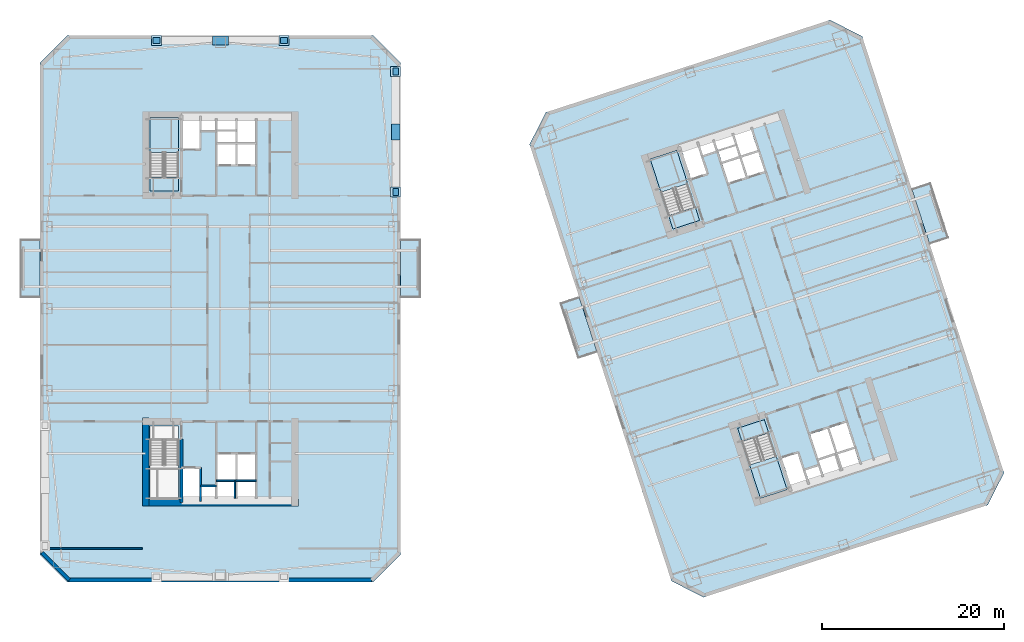
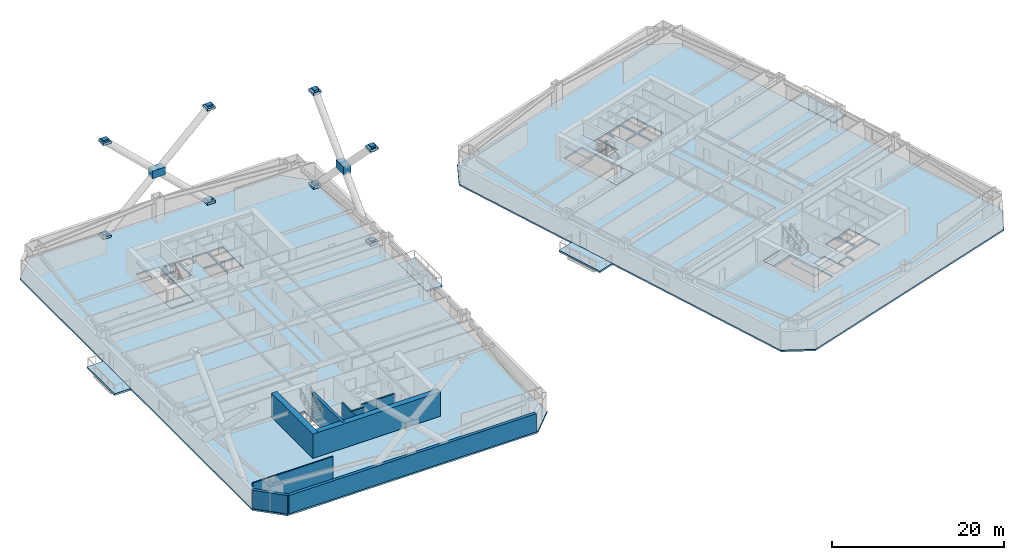
# One storey, part 3 of 15: 18 plates, 12 slabs, 10 walls, 3 elements without a shape of their own.
"""IFC4 building model written with IfcOpenShell, lengths in metres."""

from ifc_helpers import new_model, si_unit, direction, frame, frame_2d, origin, origin_2d, place, context, subcontext, project, spatial, polyline, rectangle, outline, extrude, material, layer, layer_set, type_object, element, aggregate, save


model = new_model("IFC4")

# Units and contexts
model_context = context("Model", 3, precision=1e-05, world=origin(), true_north=direction((0.0, 1.0)))
body_context = subcontext(model_context, "Body", "Model", "MODEL_VIEW")
ifc_project = project(units=[si_unit("LENGTHUNIT", "METRE"), si_unit("AREAUNIT", "SQUARE_METRE"), si_unit("VOLUMEUNIT", "CUBIC_METRE"), si_unit("PLANEANGLEUNIT", "RADIAN"), si_unit("MASSUNIT", "GRAM", prefix="KILO")], contexts=[model_context])

# Site, building, storey
site_placement = place(None, origin())
site = spatial("IfcSite", under=ifc_project, at=site_placement, CompositionType="ELEMENT")
building_placement = place(site_placement, origin())
building = spatial("IfcBuilding", under=site, at=building_placement, Name="Qiaolan Cultural Towers", CompositionType="ELEMENT")
storey_placement = place(building_placement, frame((0.0, 0.0, 71.300048828125)))
storey = spatial("IfcBuildingStorey", under=building, at=storey_placement, Name="L17", CompositionType="ELEMENT", Elevation=71.300048828125)

# Plates
ifc_material_1 = material(Name="Steel Q355B", Category="steel")
ifc_layer_1 = layer(ifc_material_1, 0.035888671875)
ifc_layer_set_1 = layer_set([ifc_layer_1], Name="Steel Q355B")
plate_type_1 = type_object("IfcPlateType", Name="PL-CONN-36", PredefinedType="USERDEFINED", material=ifc_layer_set_1)
for number, where, z_axis, x_axis, name in (
    (1, (49.25, 46.800048828125, -0.22021484375), (0.0, 0.0, 1.0), (0.0, 1.0, 0.0), "L17 Brace End Connection Gusset Plate GP-02-0232"),
    (2, (49.25, 60.050048828125, 13.1298828125), (0.0, 0.0, 1.0), (0.0, 1.0, 0.0), "L17 Brace End Connection Gusset Plate GP-02-0233"),
    (3, (49.25, 60.050048828125, -0.22021484375), (0.0, 0.0, 1.0), (0.0, 1.0, 0.0), "L17 Brace End Connection Gusset Plate GP-02-0234"),
    (4, (49.25, 46.800048828125, 13.1298828125), (0.0, 0.0, 1.0), (0.0, 1.0, 0.0), "L17 Brace End Connection Gusset Plate GP-02-0235"),
    (5, (23.0, 63.449951171875, -0.22021484375), (0.0, 0.0, 1.0), (1.0, 0.0, 0.0), "L17 Brace End Connection Gusset Plate GP-02-0240"),
    (6, (37.0, 63.449951171875, 13.1298828125), (0.0, 0.0, 1.0), (1.0, 0.0, 0.0), "L17 Brace End Connection Gusset Plate GP-02-0241"),
    (7, (37.0, 63.449951171875, -0.22021484375), (0.0, 0.0, 1.0), (1.0, 0.0, 0.0), "L17 Brace End Connection Gusset Plate GP-02-0242"),
    (8, (23.0, 63.449951171875, 13.1298828125), (0.0, 0.0, 1.0), (1.0, 0.0, 0.0), "L17 Brace End Connection Gusset Plate GP-02-0243"),
):
    element("IfcPlate", number, at=place(storey_placement, frame(where, z_axis=z_axis, x_axis=x_axis)), inside=storey, type_object=plate_type_1, Name=name, ObjectType="GUSSET_PLATE", PredefinedType="USERDEFINED", context=body_context, shape_type="SweptSolid", body=[
        extrude(rectangle(XDim=0.739990234375, YDim=0.6201171875, at=origin_2d()), origin(), (0.0, 0.0, 1.0), 0.739990234375),
    ])
ifc_material_2 = material(Name="Steel Q355B", Category="steel")
ifc_layer_2 = layer(ifc_material_2, 0.030029296875)
ifc_layer_set_2 = layer_set([ifc_layer_2], Name="Steel Q355B")
plate_type_2 = type_object("IfcPlateType", Name="PL-ENDCAP-30", PredefinedType="USERDEFINED", material=ifc_layer_set_2)
for number, where, z_axis, x_axis, name in (
    (9, (49.25, 46.800048828125, -0.025146484375), (0.0, 0.0, 1.0), (0.0, 1.0, 0.0), "Hollow Brace End Seal Cap Plate CP-01"),
    (10, (49.25, 60.050048828125, -0.025146484375), (0.0, 0.0, 1.0), (0.0, 1.0, 0.0), "Hollow Brace End Seal Cap Plate CP-01"),
    (11, (49.25, 46.800048828125, 13.324951171875), (0.0, 0.0, 1.0), (0.0, 1.0, 0.0), "Hollow Brace End Seal Cap Plate CP-01"),
    (12, (49.25, 60.050048828125, 13.324951171875), (0.0, 0.0, 1.0), (0.0, 1.0, 0.0), "Hollow Brace End Seal Cap Plate CP-01"),
    (13, (23.0, 63.449951171875, -0.025146484375), (0.0, 0.0, 1.0), (1.0, 0.0, 0.0), "Hollow Brace End Seal Cap Plate CP-01"),
    (14, (37.0, 63.449951171875, -0.025146484375), (0.0, 0.0, 1.0), (1.0, 0.0, 0.0), "Hollow Brace End Seal Cap Plate CP-01"),
    (15, (23.0, 63.449951171875, 13.324951171875), (0.0, 0.0, 1.0), (1.0, 0.0, 0.0), "Hollow Brace End Seal Cap Plate CP-01"),
    (16, (37.0, 63.449951171875, 13.324951171875), (0.0, 0.0, 1.0), (1.0, 0.0, 0.0), "Hollow Brace End Seal Cap Plate CP-01"),
):
    element("IfcPlate", number, at=place(storey_placement, frame(where, z_axis=z_axis, x_axis=x_axis)), inside=storey, type_object=plate_type_2, Name=name, ObjectType="BASE_PLATE", PredefinedType="USERDEFINED", context=body_context, shape_type="SweptSolid", body=[
        extrude(rectangle(XDim=1.10009765625, YDim=1.10009765625, at=origin_2d()), origin(), (0.0, 0.0, 1.0), 0.35009765625),
    ])
ifc_material_3 = material(Name="Steel Q390GJB", Category="steel")
ifc_layer_3 = layer(ifc_material_3, 0.0458984375)
ifc_layer_set_3 = layer_set([ifc_layer_3], Name="Steel Q390GJB")
plate_type_3 = type_object("IfcPlateType", Name="PL-NODE-ND03", PredefinedType="USERDEFINED", material=ifc_layer_set_3)
plate_1_placement = place(storey_placement, frame((49.25, 53.425048828125, 6.27490234375), z_axis=(0.0, 0.0, 1.0), x_axis=(0.0, 1.0, 0.0)))
element("IfcPlate", 17, at=plate_1_placement, inside=storey, type_object=plate_type_3, Name="Perimeter Frame Gusset Node Assembly ND-03", ObjectType="GUSSET_PLATE", PredefinedType="USERDEFINED", context=body_context, shape_type="SweptSolid", body=[
    extrude(rectangle(XDim=1.760009765625, YDim=0.9599609375, at=origin_2d()), origin(), (0.0, 0.0, 1.0), 1.10009765625),
])
ifc_material_4 = material(Name="Steel Q390GJB", Category="steel")
ifc_layer_4 = layer(ifc_material_4, 0.0419921875)
ifc_layer_set_4 = layer_set([ifc_layer_4], Name="Steel Q390GJB")
plate_type_4 = type_object("IfcPlateType", Name="PL-NODE-ND05", PredefinedType="USERDEFINED", material=ifc_layer_set_4)
plate_2_placement = place(storey_placement, frame((30.0, 63.449951171875, 6.27490234375), z_axis=(0.0, 0.0, 1.0), x_axis=(1.0, 0.0, 0.0)))
element("IfcPlate", 18, at=plate_2_placement, inside=storey, type_object=plate_type_4, Name="Perimeter Frame Gusset Node Assembly ND-05", ObjectType="GUSSET_PLATE", PredefinedType="USERDEFINED", context=body_context, shape_type="SweptSolid", body=[
    extrude(rectangle(XDim=1.760009765625, YDim=0.9599609375, at=origin_2d()), origin(), (0.0, 0.0, 1.0), 1.10009765625),
])

# Slabs
ifc_material_5 = material(Name="Concrete C45", Category="concrete")
ifc_layer_5 = layer(ifc_material_5, 0.239990234375)
ifc_layer_set_5 = layer_set([ifc_layer_5], Name="Concrete C45")
slab_type_1 = type_object("IfcSlabType", Name="SL-BAL-240", PredefinedType="FLOOR", material=ifc_layer_set_5)
slab_1_placement = place(storey_placement, frame((0.0, 0.0, -0.239990234375)))
element("IfcSlab", 19, at=slab_1_placement, inside=storey, type_object=slab_type_1, Name="L17 T1 Planted Tree Balcony W", PredefinedType="FLOOR", context=body_context, shape_type="SweptSolid", body=[
    extrude(outline(polyline([(8.0, 35.199951171875), (10.199951171875, 35.199951171875), (10.199951171875, 41.60009765625), (8.0, 41.60009765625), (8.0, 35.199951171875)])), origin(), (0.0, 0.0, 1.0), 0.239990234375),
])
slab_2_placement = place(storey_placement, frame((0.0, 0.0, -0.239990234375)))
element("IfcSlab", 20, at=slab_2_placement, inside=storey, type_object=slab_type_1, Name="L17 T1 Planted Tree Balcony E", PredefinedType="FLOOR", context=body_context, shape_type="SweptSolid", body=[
    extrude(outline(polyline([(49.800048828125, 35.199951171875), (52.0, 35.199951171875), (52.0, 41.60009765625), (49.800048828125, 41.60009765625), (49.800048828125, 35.199951171875)])), origin(), (0.0, 0.0, 1.0), 0.239990234375),
])
slab_3_placement = place(storey_placement, frame((0.0, 0.0, -0.239990234375)))
element("IfcSlab", 21, at=slab_3_placement, inside=storey, type_object=slab_type_1, Name="L17 T2 Planted Tree Balcony W", PredefinedType="FLOOR", context=body_context, shape_type="SweptSolid", body=[
    extrude(outline(polyline([(69.276611328125, 28.5283203125), (71.368896484375, 29.208251953125), (69.39111328125, 35.294921875), (67.298828125, 34.614990234375), (69.276611328125, 28.5283203125)])), origin(), (0.0, 0.0, 1.0), 0.239990234375),
])
slab_4_placement = place(storey_placement, frame((0.0, 0.0, -0.239990234375)))
element("IfcSlab", 22, at=slab_4_placement, inside=storey, type_object=slab_type_1, Name="L17 T2 Planted Tree Balcony E", PredefinedType="FLOOR", context=body_context, shape_type="SweptSolid", body=[
    extrude(outline(polyline([(107.889404296875, 41.074462890625), (109.981689453125, 41.754150390625), (108.004150390625, 47.841064453125), (105.911865234375, 47.1611328125), (107.889404296875, 41.074462890625)])), origin(), (0.0, 0.0, 1.0), 0.239990234375),
])

# Stair, slab
ifc_material_6 = material(Name="Concrete C45", Category="concrete")
stair_type = type_object("IfcStairType", Name="STR-CORE-1500", PredefinedType="HALF_TURN_STAIR", material=ifc_material_6)
stair_1_placement = place(storey_placement, origin())
stair_1 = element("IfcStair", 23, at=stair_1_placement, inside=storey, type_object=stair_type, Name="L17 Smokeproof Exit Stair ST-W2", PredefinedType="HALF_TURN_STAIR")
ifc_material_7 = material(Name="Concrete C45", Category="concrete")
ifc_layer_6 = layer(ifc_material_7, 0.199951171875)
ifc_layer_set_6 = layer_set([ifc_layer_6], Name="Concrete C45")
slab_type_2 = type_object("IfcSlabType", Name="SL-STAIR-LAND", PredefinedType="LANDING", material=ifc_layer_set_6)
slab_5_placement = place(storey_placement, frame((0.0, 0.0, 1.52490234375)))
slab_5 = element("IfcSlab", 24, at=slab_5_placement, type_object=slab_type_2, Name="ST-W2 landing 1", PredefinedType="LANDING", context=body_context, shape_type="SweptSolid", body=[
    extrude(outline(polyline([(25.3798828125, 51.148681640625), (25.3798828125, 55.0), (22.300048828125, 55.0), (22.300048828125, 51.148681640625), (25.3798828125, 51.148681640625)])), origin(), (0.0, 0.0, 1.0), 0.199951171875),
])
aggregate(stair_1, [slab_5])

stair_2_placement = place(storey_placement, origin())
stair_2 = element("IfcStair", 25, at=stair_2_placement, inside=storey, type_object=stair_type, Name="L17 Smokeproof Exit Stair ST-E1", PredefinedType="HALF_TURN_STAIR")
slab_6_placement = place(storey_placement, frame((0.0, 0.0, 1.52490234375)))
slab_6 = element("IfcSlab", 26, at=slab_6_placement, type_object=slab_type_2, Name="ST-E1 landing 1", PredefinedType="LANDING", context=body_context, shape_type="SweptSolid", body=[
    extrude(outline(polyline([(88.114013671875, 16.828125), (89.30419921875, 13.165283203125), (92.2333984375, 14.116943359375), (91.04345703125, 17.77978515625), (88.114013671875, 16.828125)])), origin(), (0.0, 0.0, 1.0), 0.199951171875),
])
aggregate(stair_2, [slab_6])

stair_3_placement = place(storey_placement, origin())
stair_3 = element("IfcStair", 27, at=stair_3_placement, inside=storey, type_object=stair_type, Name="L17 Smokeproof Exit Stair ST-E2", PredefinedType="HALF_TURN_STAIR")
slab_7_placement = place(storey_placement, frame((0.0, 0.0, 1.52490234375)))
slab_7 = element("IfcSlab", 28, at=slab_7_placement, type_object=slab_type_2, Name="ST-E2 landing 1", PredefinedType="LANDING", context=body_context, shape_type="SweptSolid", body=[
    extrude(outline(polyline([(81.31005859375, 47.735595703125), (80.1201171875, 51.3984375), (77.190673828125, 50.44677734375), (78.380859375, 46.783935546875), (81.31005859375, 47.735595703125)])), origin(), (0.0, 0.0, 1.0), 0.199951171875),
])
aggregate(stair_3, [slab_7])

# Slabs
ifc_material_8 = material(Name="Concrete C40", Category="concrete")
ifc_layer_7 = layer(ifc_material_8, 0.360107421875)
ifc_layer_set_7 = layer_set([ifc_layer_7], Name="Concrete C40")
slab_type_3 = type_object("IfcSlabType", Name="SL-STFLR-360", PredefinedType="LANDING", material=ifc_layer_set_7)
slab_8_placement = place(storey_placement, frame((0.0, 0.0, -0.360107421875)))
element("IfcSlab", 29, at=slab_8_placement, inside=storey, type_object=slab_type_3, Name="L17 ST-W2 Stair Floor Landing Slab", PredefinedType="LANDING", context=body_context, shape_type="SweptSolid", body=[
    extrude(outline(polyline([(25.3779296875, 46.902099609375), (25.3779296875, 48.451416015625), (22.302001953125, 48.451416015625), (22.302001953125, 46.902099609375), (25.3779296875, 46.902099609375)])), origin(), (0.0, 0.0, 1.0), 0.360107421875),
])
slab_9_placement = place(storey_placement, frame((0.0, 0.0, -0.360107421875)))
element("IfcSlab", 30, at=slab_9_placement, inside=storey, type_object=slab_type_3, Name="L17 ST-E1 Stair Floor Landing Slab", PredefinedType="LANDING", context=body_context, shape_type="SweptSolid", body=[
    extrude(outline(polyline([(86.8037109375, 20.867431640625), (87.282470703125, 19.39404296875), (90.2080078125, 20.3447265625), (89.729248046875, 21.818115234375), (86.8037109375, 20.867431640625)])), origin(), (0.0, 0.0, 1.0), 0.360107421875),
])
slab_10_placement = place(storey_placement, frame((0.0, 0.0, -0.360107421875)))
element("IfcSlab", 31, at=slab_10_placement, inside=storey, type_object=slab_type_3, Name="L17 ST-E2 Stair Floor Landing Slab", PredefinedType="LANDING", context=body_context, shape_type="SweptSolid", body=[
    extrude(outline(polyline([(82.62060546875, 43.6962890625), (82.141845703125, 45.169677734375), (79.21630859375, 44.21923828125), (79.695068359375, 42.74560546875), (82.62060546875, 43.6962890625)])), origin(), (0.0, 0.0, 1.0), 0.360107421875),
])
ifc_material_9 = material(Name="Concrete C45", Category="concrete")
ifc_layer_8 = layer(ifc_material_9, 0.219970703125)
ifc_layer_set_8 = layer_set([ifc_layer_8], Name="Concrete C45")
slab_type_4 = type_object("IfcSlabType", Name="SL-TYP-220", PredefinedType="FLOOR", material=ifc_layer_set_8)
slab_11_placement = place(storey_placement, frame((0.0, 0.0, -0.219970703125)))
element("IfcSlab", 32, at=slab_11_placement, inside=storey, type_object=slab_type_4, Name="L17 West Tower Floor Slab", PredefinedType="FLOOR", context=body_context, shape_type="SweptSolid", body=[
    extrude(outline(polyline([(13.199951171875, 4.0), (46.800048828125, 4.0), (49.800048828125, 7.0), (49.800048828125, 61.0), (46.800048828125, 64.0), (13.199951171875, 64.0), (10.199951171875, 61.0), (10.199951171875, 7.0), (13.199951171875, 4.0)]), holes=[polyline([(22.300048828125, 21.10009765625), (22.300048828125, 13.0), (25.3798828125, 13.0), (25.3798828125, 21.10009765625), (22.300048828125, 21.10009765625)]), polyline([(25.3798828125, 46.89990234375), (25.3798828125, 55.0), (22.300048828125, 55.0), (22.300048828125, 46.89990234375), (25.3798828125, 46.89990234375)]), polyline([(25.89990234375, 13.199951171875), (27.75, 13.199951171875), (27.75, 16.449951171875), (25.89990234375, 16.449951171875), (25.89990234375, 13.199951171875)]), polyline([(27.93994140625, 13.25), (29.449951171875, 13.25), (29.449951171875, 14.419921875), (27.93994140625, 14.419921875), (27.93994140625, 13.25)]), polyline([(29.679931640625, 15.199951171875), (31.679931640625, 15.199951171875), (31.679931640625, 18.0), (29.679931640625, 18.0), (29.679931640625, 15.199951171875)]), polyline([(31.8798828125, 15.199951171875), (33.820068359375, 15.199951171875), (33.820068359375, 18.0), (31.8798828125, 18.0), (31.8798828125, 15.199951171875)]), polyline([(29.679931640625, 13.25), (33.820068359375, 13.25), (33.820068359375, 14.97998046875), (29.679931640625, 14.97998046875), (29.679931640625, 13.25)]), polyline([(25.89990234375, 51.550048828125), (27.75, 51.550048828125), (27.75, 54.800048828125), (25.89990234375, 54.800048828125), (25.89990234375, 51.550048828125)]), polyline([(27.93994140625, 53.580078125), (29.449951171875, 53.580078125), (29.449951171875, 54.75), (27.93994140625, 54.75), (27.93994140625, 53.580078125)]), polyline([(29.679931640625, 49.820068359375), (31.679931640625, 49.820068359375), (31.679931640625, 52.080078125), (29.679931640625, 52.080078125), (29.679931640625, 49.820068359375)]), polyline([(31.8798828125, 49.820068359375), (33.820068359375, 49.820068359375), (33.820068359375, 52.080078125), (31.8798828125, 52.080078125), (31.8798828125, 49.820068359375)]), polyline([(29.679931640625, 52.27001953125), (31.659912109375, 52.27001953125), (31.659912109375, 54.75), (29.679931640625, 54.75), (29.679931640625, 52.27001953125)]), polyline([(31.8798828125, 52.27001953125), (33.820068359375, 52.27001953125), (33.820068359375, 54.75), (31.8798828125, 54.75), (31.8798828125, 52.27001953125)])]), origin(), (0.0, 0.0, 1.0), 0.219970703125),
])
slab_12_placement = place(storey_placement, frame((0.0, 0.0, -0.219970703125)))
element("IfcSlab", 33, at=slab_12_placement, inside=storey, type_object=slab_type_4, Name="L17 East Tower Floor Slab", PredefinedType="FLOOR", context=body_context, shape_type="SweptSolid", body=[
    extrude(outline(polyline([(83.05517578125, 2.302490234375), (114.249755859375, 12.438232421875), (116.047607421875, 15.966552734375), (100.47314453125, 63.899658203125), (96.94482421875, 65.697509765625), (65.750244140625, 55.561767578125), (63.952392578125, 52.033447265625), (79.52685546875, 4.100341796875), (83.05517578125, 2.302490234375)]), holes=[polyline([(86.80126953125, 20.868896484375), (89.30419921875, 13.165283203125), (92.2333984375, 14.116943359375), (89.73046875, 21.820556640625), (86.80126953125, 20.868896484375)]), polyline([(82.623046875, 43.69482421875), (80.1201171875, 51.3984375), (77.190673828125, 50.44677734375), (79.69384765625, 42.7431640625), (82.623046875, 43.69482421875)]), polyline([(92.666259765625, 14.468017578125), (94.42578125, 15.03955078125), (93.42138671875, 18.130615234375), (91.661865234375, 17.558837890625), (92.666259765625, 14.468017578125)]), polyline([(94.5908203125, 15.14599609375), (96.027099609375, 15.612548828125), (95.66552734375, 16.725341796875), (94.2294921875, 16.258544921875), (94.5908203125, 15.14599609375)]), polyline([(95.643310546875, 17.5380859375), (97.54541015625, 18.15625), (96.68017578125, 20.819091796875), (94.77783203125, 20.201171875), (95.643310546875, 17.5380859375)]), polyline([(97.735595703125, 18.218017578125), (99.58056640625, 18.8173828125), (98.71533203125, 21.48046875), (96.870361328125, 20.880859375), (97.735595703125, 18.218017578125)]), polyline([(96.245849609375, 15.68359375), (100.18310546875, 16.962890625), (99.6484375, 18.608154296875), (95.711181640625, 17.328857421875), (96.245849609375, 15.68359375)]), polyline([(81.6806640625, 48.278076171875), (83.440185546875, 48.849609375), (82.435791015625, 51.940673828125), (80.67626953125, 51.368896484375), (81.6806640625, 48.278076171875)]), polyline([(82.993408203125, 50.839111328125), (84.4296875, 51.3056640625), (84.068115234375, 52.41845703125), (82.632080078125, 51.95166015625), (82.993408203125, 50.839111328125)]), polyline([(85.810302734375, 47.80078125), (87.71240234375, 48.418701171875), (87.013916015625, 50.568115234375), (85.11181640625, 49.9501953125), (85.810302734375, 47.80078125)]), polyline([(87.902587890625, 48.480712890625), (89.74755859375, 49.080078125), (89.04931640625, 51.2294921875), (87.2041015625, 50.6298828125), (87.902587890625, 48.480712890625)]), polyline([(85.05322265625, 50.130859375), (86.936279296875, 50.74267578125), (86.169921875, 53.101318359375), (84.286865234375, 52.489501953125), (85.05322265625, 50.130859375)]), polyline([(87.1455078125, 50.810791015625), (88.990478515625, 51.41015625), (88.22412109375, 53.768798828125), (86.379150390625, 53.169189453125), (87.1455078125, 50.810791015625)])]), origin(), (0.0, 0.0, 1.0), 0.219970703125),
])

# Walls
ifc_material_10 = material(Name="Concrete C50", Category="concrete")
ifc_layer_9 = layer(ifc_material_10, 0.35009765625)
ifc_layer_set_9 = layer_set([ifc_layer_9], Name="Concrete C50")
wall_type_1 = type_object("IfcWallType", Name="WL-CORE-350", PredefinedType="SHEAR", material=ifc_layer_set_9)
wall_1_placement = place(storey_placement, frame((25.719970703125, 19.699951171875, 0.0), z_axis=(0.0, 0.0, 1.0), x_axis=(0.0, -1.0, 0.0)))
element("IfcWall", 34, at=wall_1_placement, inside=storey, type_object=wall_type_1, Name="L17 T1-CS Stair Core Dividing Web", PredefinedType="SHEAR", context=body_context, shape_type="SweptSolid", body=[
    extrude(rectangle(XDim=6.97998046875, YDim=0.35009765625, at=frame_2d((3.489990234375, 0.0))), origin(), (0.0, 0.0, 1.0), 3.449951171875),
])
ifc_material_11 = material(Name="Concrete C60", Category="concrete")
ifc_layer_10 = layer(ifc_material_11, 0.75)
ifc_layer_set_10 = layer_set([ifc_layer_10], Name="Concrete C60")
wall_type_2 = type_object("IfcWallType", Name="WL-CORE-750", PredefinedType="SHEAR", material=ifc_layer_set_10)
wall_2_placement = place(storey_placement, frame((21.425048828125, 12.719970703125, 0.0), z_axis=(0.0, 0.0, 1.0), x_axis=(1.0, 0.0, 0.0)))
element("IfcWall", 35, at=wall_2_placement, inside=storey, type_object=wall_type_2, Name="L17 T1-CS Outer Core Shear Wall", PredefinedType="SHEAR", context=body_context, shape_type="SweptSolid", body=[
    extrude(rectangle(XDim=17.14990234375, YDim=0.75, at=frame_2d((8.574951171875, 0.0))), origin(), (0.0, 0.0, 1.0), 3.449951171875),
])
wall_3_placement = place(storey_placement, frame((21.800048828125, 21.97509765625, 0.0), z_axis=(0.0, 0.0, 1.0), x_axis=(0.0, -1.0, 0.0)))
element("IfcWall", 36, at=wall_3_placement, inside=storey, type_object=wall_type_2, Name="L17 T1-CS West Core Shear Wall", PredefinedType="SHEAR", context=body_context, shape_type="SweptSolid", body=[
    extrude(rectangle(XDim=9.630126953125, YDim=0.75, at=frame_2d((4.81494140625, 0.0))), origin(), (0.0, 0.0, 1.0), 3.449951171875),
])
ifc_material_12 = material(Name="Precast Concrete C50 Honed Stone Pier", Category="masonry")
ifc_layer_11 = layer(ifc_material_12, 0.39990234375)
ifc_layer_set_11 = layer_set([ifc_layer_11], Name="Precast Concrete C50 Honed Stone Pier")
wall_type_3 = type_object("IfcWallType", Name="WL-EXT-PIER-400", PredefinedType="SOLIDWALL", material=ifc_layer_set_11)
wall_4_placement = place(storey_placement, frame((46.60009765625, 4.199951171875, 0.0), z_axis=(0.0, 0.0, 1.0), x_axis=(-1.0, 0.0, 0.0)))
element("IfcWall", 37, at=wall_4_placement, inside=storey, type_object=wall_type_3, Name="L17 West Tower Precast Pier Facade Wall F7", PredefinedType="SOLIDWALL", context=body_context, shape_type="SweptSolid", body=[
    extrude(rectangle(XDim=33.2001953125, YDim=0.39990234375, at=frame_2d((16.60009765625, 0.0))), origin(), (0.0, 0.0, 1.0), 2.60986328125),
])
wall_5_placement = place(storey_placement, frame((13.39990234375, 4.199951171875, 0.0), z_axis=(0.0, 0.0, 1.0), x_axis=(-0.707106781187, 0.707106781187, 0.0)))
element("IfcWall", 38, at=wall_5_placement, inside=storey, type_object=wall_type_3, Name="L17 West Tower Precast Pier Facade Wall F8", PredefinedType="SOLIDWALL", context=body_context, shape_type="SweptSolid", body=[
    extrude(rectangle(XDim=4.24267578125, YDim=0.39990234375, at=frame_2d((2.121337890625, 0.0))), origin(), (0.0, 0.0, 1.0), 2.60986328125),
])
ifc_material_13 = material(Name="Concrete C35 Fire Wall", Category="concrete")
ifc_layer_12 = layer(ifc_material_13, 0.199951171875)
ifc_layer_set_12 = layer_set([ifc_layer_12], Name="Concrete C35 Fire Wall")
wall_type_4 = type_object("IfcWallType", Name="WL-FIRE-200", PredefinedType="PARTITIONING", material=ifc_layer_set_12)
wall_6_placement = place(storey_placement, frame((27.820068359375, 16.550048828125, 0.0), z_axis=(0.0, 0.0, 1.0), x_axis=(0.0, -1.0, 0.0)))
element("IfcWall", 39, at=wall_6_placement, inside=storey, type_object=wall_type_4, Name="L17 T1-CS Firefighting Hoistway East Wall", PredefinedType="PARTITIONING", context=body_context, shape_type="SweptSolid", body=[
    extrude(rectangle(XDim=3.699951171875, YDim=0.199951171875, at=frame_2d((1.85009765625, 0.0))), origin(), (0.0, 0.0, 1.0), 3.175048828125),
])
wall_7_placement = place(storey_placement, frame((27.820068359375, 14.52001953125, 0.0), z_axis=(0.0, 0.0, 1.0), x_axis=(1.0, 0.0, 0.0)))
element("IfcWall", 40, at=wall_7_placement, inside=storey, type_object=wall_type_4, Name="L17 T1-CS Pressurization Shaft Front Wall", PredefinedType="PARTITIONING", context=body_context, shape_type="SweptSolid", body=[
    extrude(rectangle(XDim=1.72998046875, YDim=0.199951171875, at=frame_2d((0.864990234375, 0.0))), origin(), (0.0, 0.0, 1.0), 3.175048828125),
])
wall_8_placement = place(storey_placement, frame((29.550048828125, 15.10009765625, 0.0), z_axis=(0.0, 0.0, 1.0), x_axis=(1.0, 0.0, 0.0)))
element("IfcWall", 41, at=wall_8_placement, inside=storey, type_object=wall_type_4, Name="L17 T1-CS Passenger Lift Shaft Back Wall", PredefinedType="PARTITIONING", context=body_context, shape_type="SweptSolid", body=[
    extrude(rectangle(XDim=4.39990234375, YDim=0.199951171875, at=frame_2d((2.199951171875, 0.0))), origin(), (0.0, 0.0, 1.0), 3.175048828125),
])
ifc_material_14 = material(Name="Autoclaved Aerated Concrete Block B06", Category="concrete")
ifc_layer_13 = layer(ifc_material_14, 0.14990234375)
ifc_layer_set_13 = layer_set([ifc_layer_13], Name="Autoclaved Aerated Concrete Block B06")
wall_type_5 = type_object("IfcWallType", Name="WL-PART-150", PredefinedType="PARTITIONING", material=ifc_layer_set_13)
wall_9_placement = place(storey_placement, frame((31.60009765625, 15.050048828125, 0.0), z_axis=(0.0, 0.0, 1.0), x_axis=(0.0, -1.0, 0.0)))
element("IfcWall", 42, at=wall_9_placement, inside=storey, type_object=wall_type_5, Name="L17 T1-CS Core Rear Split Wall", PredefinedType="PARTITIONING", context=body_context, shape_type="SweptSolid", body=[
    extrude(rectangle(XDim=1.880126953125, YDim=0.14990234375, at=frame_2d((0.93994140625, 0.0))), origin(), (0.0, 0.0, 1.0), 3.175048828125),
])
wall_10_placement = place(storey_placement, frame((10.60009765625, 7.64990234375, 0.0), z_axis=(0.0, 0.0, 1.0), x_axis=(1.0, 0.0, 0.0)))
element("IfcWall", 43, at=wall_10_placement, inside=storey, type_object=wall_type_5, Name="L17 T1 Flank Wall FLK-SW", PredefinedType="PARTITIONING", context=body_context, shape_type="SweptSolid", body=[
    extrude(rectangle(XDim=10.7998046875, YDim=0.14990234375, at=frame_2d((5.39990234375, 0.0))), origin(), (0.0, 0.0, 1.0), 3.175048828125),
])

save(model, "model.ifc")
